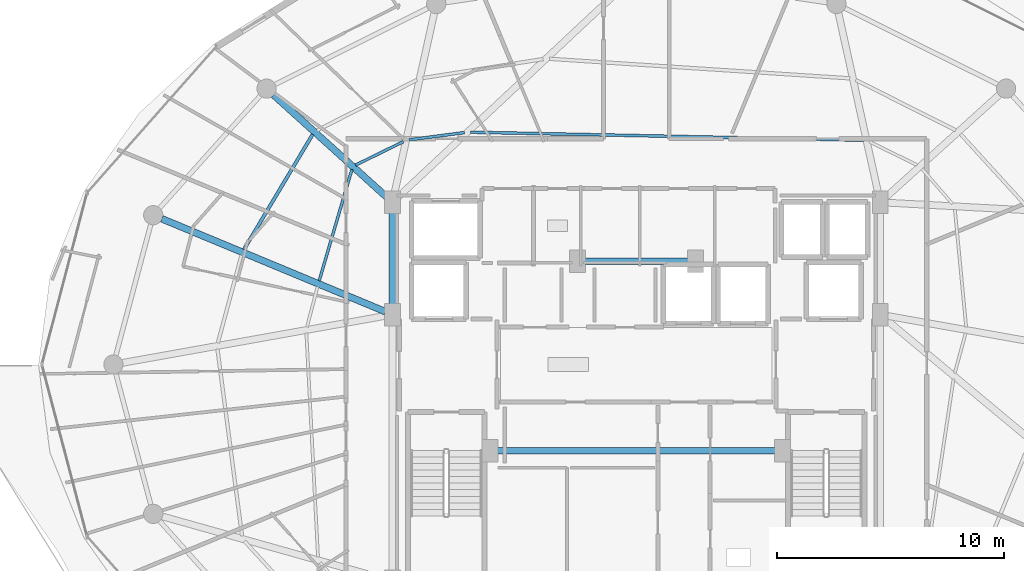
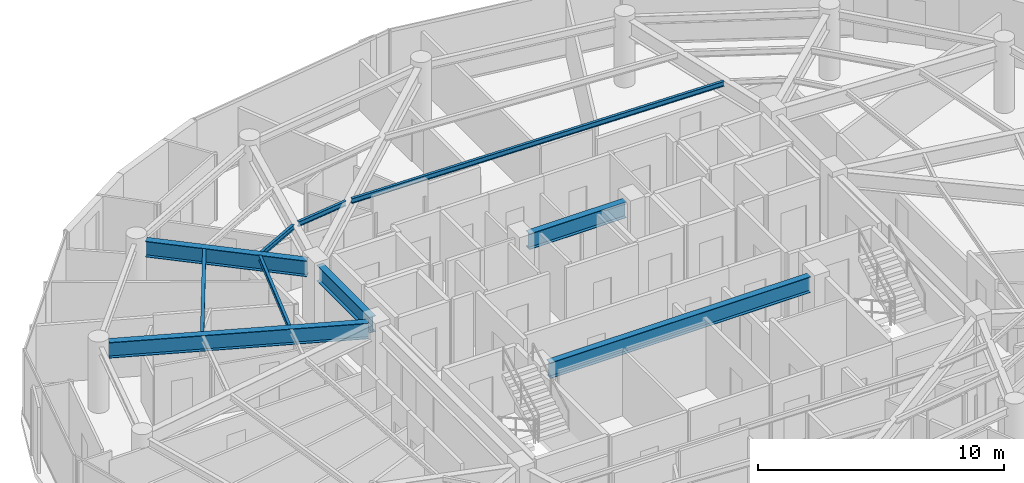
# One storey, part 10 of 31: 10 beams.
"""IFC4 building model written with IfcOpenShell, lengths in metres."""

from ifc_helpers import new_model, si_unit, direction, frame, origin, origin_2d, place, context, subcontext, project, spatial, i_section, extrude, material, material_profile, profile_set, type_object, element, save


model = new_model("IFC4")

# Units and contexts
model_context = context("Model", 3, precision=1e-05, world=origin(), true_north=direction((0.0, 1.0)))
body_context = subcontext(model_context, "Body", "Model", "MODEL_VIEW")
ifc_project = project(units=[si_unit("LENGTHUNIT", "METRE"), si_unit("AREAUNIT", "SQUARE_METRE"), si_unit("VOLUMEUNIT", "CUBIC_METRE"), si_unit("PLANEANGLEUNIT", "RADIAN"), si_unit("MASSUNIT", "GRAM", prefix="KILO")], contexts=[model_context])

# Site, building, storey
site_placement = place(None, origin())
site = spatial("IfcSite", under=ifc_project, at=site_placement, CompositionType="ELEMENT")
building_placement = place(site_placement, origin())
building = spatial("IfcBuilding", under=site, at=building_placement, Name="Vorneva Point Tower", CompositionType="ELEMENT")
storey_placement = place(building_placement, frame((0.0, 0.0, 248.449951171875)))
storey = spatial("IfcBuildingStorey", under=building, at=storey_placement, Name="L67", CompositionType="ELEMENT", Elevation=248.449951171875)

# Beams
ifc_material = material(Name="Steel S355", Category="steel")
ifc_material_profile_1 = material_profile(ifc_material, i_section(OverallWidth=0.300048828125, OverallDepth=0.7880859375, WebThickness=0.014404296875, FlangeThickness=0.02197265625, at=origin_2d()), Name="80Sh1")
ifc_profile_set_1 = profile_set([ifc_material_profile_1], Name="Steel S355")
beam_type_1 = type_object("IfcBeamType", Name="BM-GRD-80Sh1", PredefinedType="USERDEFINED", material=ifc_profile_set_1)
beam_1_placement = place(storey_placement, frame((22.0078125, 37.885498046875, 2.89599609375), z_axis=(0.7420671051, -0.670325601128, 0.0), x_axis=(0.670325601128, 0.7420671051, 0.0)))
element("IfcBeam", 1, at=beam_1_placement, inside=storey, type_object=beam_type_1, Name="L67 Radial Primary Girder 07", ObjectType="GIRDER", PredefinedType="USERDEFINED", context=body_context, shape_type="SweptSolid", body=[
    extrude(i_section(OverallWidth=0.300048828125, OverallDepth=0.7880859375, WebThickness=0.014404296875, FlangeThickness=0.02197265625, at=origin_2d()), origin(), (0.0, 0.0, 1.0), 6.724365234375),
])
beam_2_placement = place(storey_placement, frame((17.0859375, 32.423583984375, 2.89599609375), z_axis=(0.923448932068, -0.383721344027, 0.0), x_axis=(0.383721344027, 0.923448932068, 0.0)))
element("IfcBeam", 2, at=beam_2_placement, inside=storey, type_object=beam_type_1, Name="L67 Radial Primary Girder 08", ObjectType="GIRDER", PredefinedType="USERDEFINED", context=body_context, shape_type="SweptSolid", body=[
    extrude(i_section(OverallWidth=0.300048828125, OverallDepth=0.7880859375, WebThickness=0.014404296875, FlangeThickness=0.02197265625, at=origin_2d()), origin(), (0.0, 0.0, 1.0), 10.666748046875),
])
beam_3_placement = place(storey_placement, frame((27.25, 28.52001953125, 2.89599609375), z_axis=(0.0, 1.0, 0.0), x_axis=(-1.0, 0.0, 0.0)))
element("IfcBeam", 3, at=beam_3_placement, inside=storey, type_object=beam_type_1, Name="L67 Core Tie Girder CT2", ObjectType="GIRDER", PredefinedType="USERDEFINED", context=body_context, shape_type="SweptSolid", body=[
    extrude(i_section(OverallWidth=0.300048828125, OverallDepth=0.7880859375, WebThickness=0.014404296875, FlangeThickness=0.02197265625, at=origin_2d()), origin(), (0.0, 0.0, 1.0), 4.31005859375),
])
beam_4_placement = place(storey_placement, frame((35.719970703125, 30.550048828125, 2.89599609375), z_axis=(1.0, 0.0, 0.0), x_axis=(0.0, 1.0, 0.0)))
element("IfcBeam", 4, at=beam_4_placement, inside=storey, type_object=beam_type_1, Name="L67 Core Tie Girder CT8", ObjectType="GIRDER", PredefinedType="USERDEFINED", context=body_context, shape_type="SweptSolid", body=[
    extrude(i_section(OverallWidth=0.300048828125, OverallDepth=0.7880859375, WebThickness=0.014404296875, FlangeThickness=0.02197265625, at=origin_2d()), origin(), (0.0, 0.0, 1.0), 4.56005859375),
])
beam_5_placement = place(storey_placement, frame((31.8701171875, 22.199951171875, 2.89599609375), z_axis=(1.0, 0.0, 0.0), x_axis=(0.0, 1.0, 0.0)))
element("IfcBeam", 5, at=beam_5_placement, inside=storey, type_object=beam_type_1, Name="L67 Core Tie Girder CT7", ObjectType="GIRDER", PredefinedType="USERDEFINED", context=body_context, shape_type="SweptSolid", body=[
    extrude(i_section(OverallWidth=0.300048828125, OverallDepth=0.7880859375, WebThickness=0.014404296875, FlangeThickness=0.02197265625, at=origin_2d()), origin(), (0.0, 0.0, 1.0), 12.259765625),
])
ifc_material_profile_2 = material_profile(ifc_material, i_section(OverallWidth=0.1240234375, OverallDepth=0.248046875, WebThickness=0.0048828125, FlangeThickness=0.008056640625, at=origin_2d()), Name="25B1")
ifc_profile_set_2 = profile_set([ifc_material_profile_2], Name="Steel S355")
beam_type_2 = type_object("IfcBeamType", Name="BM-JST-25B1", PredefinedType="JOIST", material=ifc_profile_set_2)
beam_6_placement = place(storey_placement, frame((48.0087890625, 35.886474609375, 3.166015625), z_axis=(-0.999791583609, 0.020415419295, 0.0), x_axis=(-0.020415419295, -0.999791583609, 0.0)))
element("IfcBeam", 6, at=beam_6_placement, inside=storey, type_object=beam_type_2, Name="L67 Secondary Floor Beam 2.04", PredefinedType="JOIST", context=body_context, shape_type="SweptSolid", body=[
    extrude(i_section(OverallWidth=0.1240234375, OverallDepth=0.248046875, WebThickness=0.0048828125, FlangeThickness=0.008056640625, at=origin_2d()), origin(), (0.0, 0.0, 1.0), 17.316162109375),
])
beam_7_placement = place(storey_placement, frame((30.421630859375, 36.224853515625, 3.166015625), z_axis=(-0.991292972716, -0.131674759328, 0.0), x_axis=(0.131674759328, -0.991292972716, 0.0)))
element("IfcBeam", 7, at=beam_7_placement, inside=storey, type_object=beam_type_2, Name="L67 Secondary Floor Beam 2.05", PredefinedType="JOIST", context=body_context, shape_type="SweptSolid", body=[
    extrude(i_section(OverallWidth=0.1240234375, OverallDepth=0.248046875, WebThickness=0.0048828125, FlangeThickness=0.008056640625, at=origin_2d()), origin(), (0.0, 0.0, 1.0), 2.452880859375),
])
beam_8_placement = place(storey_placement, frame((27.7294921875, 35.822998046875, 3.166015625), z_axis=(-0.897898931546, -0.440201668249, 0.0), x_axis=(0.440201668249, -0.897898931546, 0.0)))
element("IfcBeam", 8, at=beam_8_placement, inside=storey, type_object=beam_type_2, Name="L67 Secondary Floor Beam 2.06", PredefinedType="JOIST", context=body_context, shape_type="SweptSolid", body=[
    extrude(i_section(OverallWidth=0.1240234375, OverallDepth=0.248046875, WebThickness=0.0048828125, FlangeThickness=0.008056640625, at=origin_2d()), origin(), (0.0, 0.0, 1.0), 2.34423828125),
])
beam_9_placement = place(storey_placement, frame((25.4619140625, 34.59765625, 3.166015625), z_axis=(-0.281938877831, -0.959432368209, 0.0), x_axis=(0.959432368209, -0.281938877831, 0.0)))
element("IfcBeam", 9, at=beam_9_placement, inside=storey, type_object=beam_type_2, Name="L67 Secondary Floor Beam 2.07", PredefinedType="JOIST", context=body_context, shape_type="SweptSolid", body=[
    extrude(i_section(OverallWidth=0.1240234375, OverallDepth=0.248046875, WebThickness=0.0048828125, FlangeThickness=0.008056640625, at=origin_2d()), origin(), (0.0, 0.0, 1.0), 5.1142578125),
])
ifc_material_profile_3 = material_profile(ifc_material, i_section(OverallWidth=0.14892578125, OverallDepth=0.298095703125, WebThickness=0.005615234375, FlangeThickness=0.008056640625, at=origin_2d()), Name="30B1")
ifc_profile_set_3 = profile_set([ifc_material_profile_3], Name="Steel S355")
beam_type_3 = type_object("IfcBeamType", Name="BM-JST-30B1", PredefinedType="JOIST", material=ifc_profile_set_3)
beam_10_placement = place(storey_placement, frame((23.7333984375, 36.144287109375, 3.14111328125), z_axis=(-0.512672626115, -0.858584170849, 0.0), x_axis=(0.858584170849, -0.512672626115, 0.0)))
element("IfcBeam", 10, at=beam_10_placement, inside=storey, type_object=beam_type_3, Name="L67 Secondary Floor Beam 1.07", PredefinedType="JOIST", context=body_context, shape_type="SweptSolid", body=[
    extrude(i_section(OverallWidth=0.14892578125, OverallDepth=0.298095703125, WebThickness=0.005615234375, FlangeThickness=0.008056640625, at=origin_2d()), origin(), (0.0, 0.0, 1.0), 5.91162109375),
])

save(model, "model.ifc")
